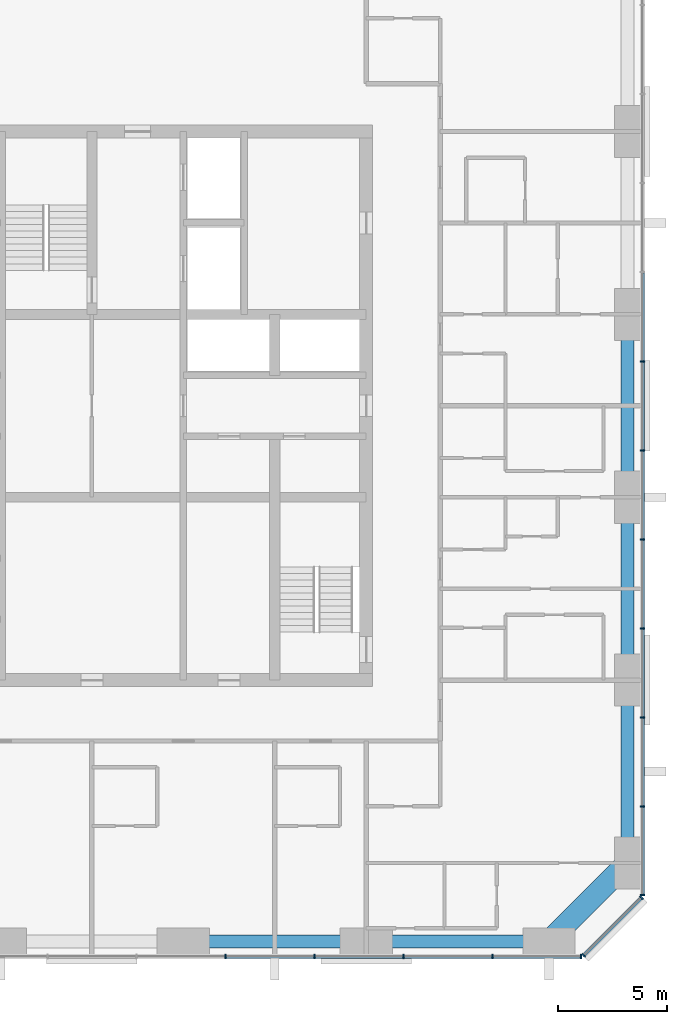
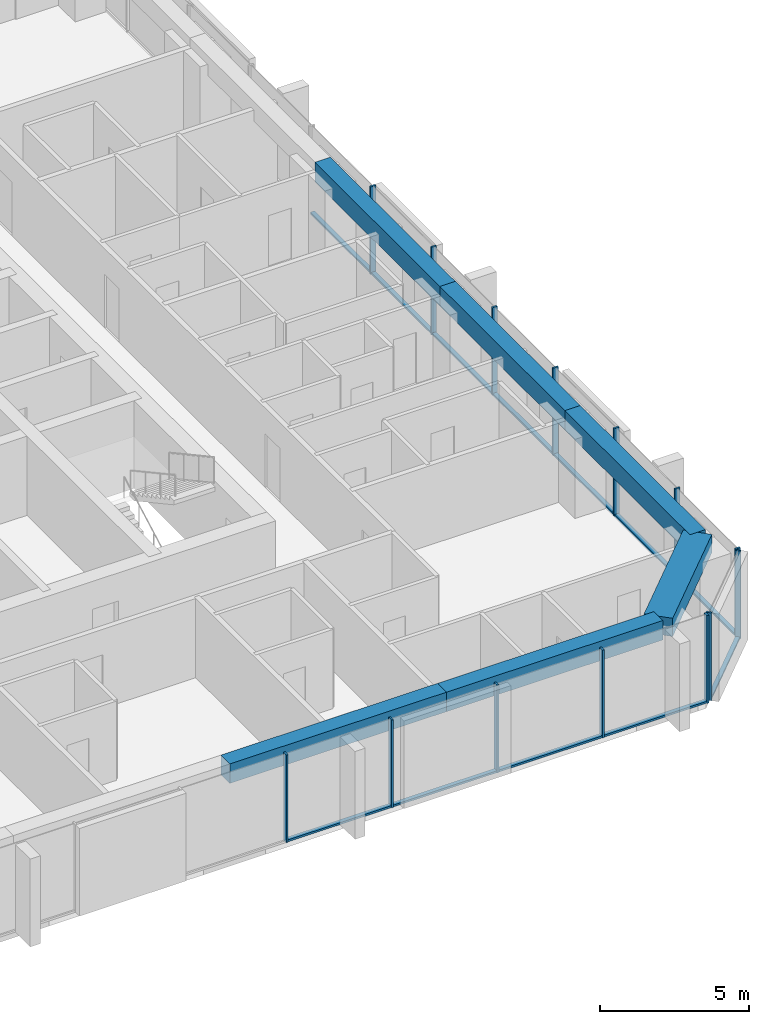
# One storey, part 4 of 13: 26 members, 6 beams, 3 elements without a shape of their own.
"""IFC4 building model written with IfcOpenShell, lengths in metres."""

from ifc_helpers import new_model, si_unit, direction, frame, origin, origin_2d, place, context, subcontext, project, spatial, rectangle, extrude, material, material_profile, profile_set, type_object, element, aggregate, save


model = new_model("IFC4")

# Units and contexts
model_context = context("Model", 3, precision=1e-05, world=origin(), true_north=direction((0.0, 1.0)))
body_context = subcontext(model_context, "Body", "Model", "MODEL_VIEW")
ifc_project = project(units=[si_unit("LENGTHUNIT", "METRE"), si_unit("AREAUNIT", "SQUARE_METRE"), si_unit("VOLUMEUNIT", "CUBIC_METRE"), si_unit("PLANEANGLEUNIT", "RADIAN"), si_unit("MASSUNIT", "GRAM", prefix="KILO")], contexts=[model_context])

# Site, building, storey
site_placement = place(None, origin())
site = spatial("IfcSite", under=ifc_project, at=site_placement, CompositionType="ELEMENT")
building_placement = place(site_placement, origin())
building = spatial("IfcBuilding", under=site, at=building_placement, Name="Dunama Terrace Hotel", CompositionType="ELEMENT")
storey_placement = place(building_placement, frame((0.0, 0.0, 191.39990234375)))
storey = spatial("IfcBuildingStorey", under=building, at=storey_placement, Name="L49", CompositionType="ELEMENT", Elevation=191.39990234375)

# Curtain wall, members
ifc_material_1 = material(Name="Aluminium curtain wall system", Category="aluminium")
curtain_wall_type = type_object("IfcCurtainWallType", Name="Unitised fritted glass wall CW-C", PredefinedType="NOTDEFINED", material=ifc_material_1)
curtain_wall_1_placement = place(storey_placement, origin())
curtain_wall_1 = element("IfcCurtainWall", 1, at=curtain_wall_1_placement, inside=storey, type_object=curtain_wall_type, Name="Unitised fritted glass wall CW-C L49", PredefinedType="NOTDEFINED")
ifc_material_2 = material(Name="Aluminium mullion", Category="aluminium")
ifc_material_profile_1 = material_profile(ifc_material_2, rectangle(XDim=0.070068359375, YDim=0.199951171875, at=origin_2d()), Name="CWC MULLION 70X200")
ifc_profile_set_1 = profile_set([ifc_material_profile_1], Name="Aluminium mullion")
member_type_1 = type_object("IfcMemberType", Name="CWC mullion 70x200", PredefinedType="MULLION", material=ifc_profile_set_1)
member_1_placement = place(storey_placement, frame((35.535888671875, 4.10009765625, 0.0), z_axis=(0.0, 0.0, 1.0), x_axis=(1.0, 0.0, 0.0)))
member_1 = element("IfcMember", 2, at=member_1_placement, type_object=member_type_1, Name="CWC mullion", PredefinedType="MULLION", context=body_context, shape_type="SweptSolid", body=[
    extrude(rectangle(XDim=0.070068359375, YDim=0.199951171875, at=origin_2d()), origin(), (0.0, 0.0, 1.0), 3.60009765625),
])
member_2_placement = place(storey_placement, frame((39.626953125, 4.10009765625, 0.0), z_axis=(0.0, 0.0, 1.0), x_axis=(1.0, 0.0, 0.0)))
member_2 = element("IfcMember", 3, at=member_2_placement, type_object=member_type_1, Name="CWC mullion", PredefinedType="MULLION", context=body_context, shape_type="SweptSolid", body=[
    extrude(rectangle(XDim=0.070068359375, YDim=0.199951171875, at=origin_2d()), origin(), (0.0, 0.0, 1.0), 3.60009765625),
])
member_3_placement = place(storey_placement, frame((43.718017578125, 4.10009765625, 0.0), z_axis=(0.0, 0.0, 1.0), x_axis=(1.0, 0.0, 0.0)))
member_3 = element("IfcMember", 4, at=member_3_placement, type_object=member_type_1, Name="CWC mullion", PredefinedType="MULLION", context=body_context, shape_type="SweptSolid", body=[
    extrude(rectangle(XDim=0.070068359375, YDim=0.199951171875, at=origin_2d()), origin(), (0.0, 0.0, 1.0), 3.60009765625),
])
member_4_placement = place(storey_placement, frame((47.80908203125, 4.10009765625, 0.0), z_axis=(0.0, 0.0, 1.0), x_axis=(1.0, 0.0, 0.0)))
member_4 = element("IfcMember", 5, at=member_4_placement, type_object=member_type_1, Name="CWC mullion", PredefinedType="MULLION", context=body_context, shape_type="SweptSolid", body=[
    extrude(rectangle(XDim=0.070068359375, YDim=0.199951171875, at=origin_2d()), origin(), (0.0, 0.0, 1.0), 3.60009765625),
])
member_5_placement = place(storey_placement, frame((51.864990234375, 4.10009765625, 0.0), z_axis=(0.0, 0.0, 1.0), x_axis=(1.0, 0.0, 0.0)))
member_5 = element("IfcMember", 6, at=member_5_placement, type_object=member_type_1, Name="CWC mullion", PredefinedType="MULLION", context=body_context, shape_type="SweptSolid", body=[
    extrude(rectangle(XDim=0.070068359375, YDim=0.199951171875, at=origin_2d()), origin(), (0.0, 0.0, 1.0), 3.60009765625),
])

curtain_wall_2_placement = place(storey_placement, origin())
curtain_wall_2 = element("IfcCurtainWall", 7, at=curtain_wall_2_placement, inside=storey, type_object=curtain_wall_type, Name="Unitised fritted glass wall CW-C L49", PredefinedType="NOTDEFINED")
member_6_placement = place(storey_placement, frame((51.9951171875, 4.154052734375, 0.0), z_axis=(0.0, 0.0, 1.0), x_axis=(0.707106781187, 0.707106781187, 0.0)))
member_6 = element("IfcMember", 8, at=member_6_placement, type_object=member_type_1, Name="CWC mullion", PredefinedType="MULLION", context=body_context, shape_type="SweptSolid", body=[
    extrude(rectangle(XDim=0.070068359375, YDim=0.199951171875, at=origin_2d()), origin(), (0.0, 0.0, 1.0), 3.60009765625),
])
member_7_placement = place(storey_placement, frame((54.64599609375, 6.804931640625, 0.0), z_axis=(0.0, 0.0, 1.0), x_axis=(0.707106781187, 0.707106781187, 0.0)))
member_7 = element("IfcMember", 9, at=member_7_placement, type_object=member_type_1, Name="CWC mullion", PredefinedType="MULLION", context=body_context, shape_type="SweptSolid", body=[
    extrude(rectangle(XDim=0.070068359375, YDim=0.199951171875, at=origin_2d()), origin(), (0.0, 0.0, 1.0), 3.60009765625),
])

curtain_wall_3_placement = place(storey_placement, origin())
curtain_wall_3 = element("IfcCurtainWall", 10, at=curtain_wall_3_placement, inside=storey, type_object=curtain_wall_type, Name="Unitised fritted glass wall CW-C L49", PredefinedType="NOTDEFINED")
member_8_placement = place(storey_placement, frame((54.699951171875, 6.93505859375, 0.0), z_axis=(0.0, 0.0, 1.0), x_axis=(0.0, 1.0, 0.0)))
member_8 = element("IfcMember", 11, at=member_8_placement, type_object=member_type_1, Name="CWC mullion", PredefinedType="MULLION", context=body_context, shape_type="SweptSolid", body=[
    extrude(rectangle(XDim=0.070068359375, YDim=0.199951171875, at=origin_2d()), origin(), (0.0, 0.0, 1.0), 3.60009765625),
])
member_9_placement = place(storey_placement, frame((54.699951171875, 10.990966796875, 0.0), z_axis=(0.0, 0.0, 1.0), x_axis=(0.0, 1.0, 0.0)))
member_9 = element("IfcMember", 12, at=member_9_placement, type_object=member_type_1, Name="CWC mullion", PredefinedType="MULLION", context=body_context, shape_type="SweptSolid", body=[
    extrude(rectangle(XDim=0.070068359375, YDim=0.199951171875, at=origin_2d()), origin(), (0.0, 0.0, 1.0), 3.60009765625),
])
member_10_placement = place(storey_placement, frame((54.699951171875, 15.08203125, 0.0), z_axis=(0.0, 0.0, 1.0), x_axis=(0.0, 1.0, 0.0)))
member_10 = element("IfcMember", 13, at=member_10_placement, type_object=member_type_1, Name="CWC mullion", PredefinedType="MULLION", context=body_context, shape_type="SweptSolid", body=[
    extrude(rectangle(XDim=0.070068359375, YDim=0.199951171875, at=origin_2d()), origin(), (0.0, 0.0, 1.0), 3.60009765625),
])
member_11_placement = place(storey_placement, frame((54.699951171875, 19.173095703125, 0.0), z_axis=(0.0, 0.0, 1.0), x_axis=(0.0, 1.0, 0.0)))
member_11 = element("IfcMember", 14, at=member_11_placement, type_object=member_type_1, Name="CWC mullion", PredefinedType="MULLION", context=body_context, shape_type="SweptSolid", body=[
    extrude(rectangle(XDim=0.070068359375, YDim=0.199951171875, at=origin_2d()), origin(), (0.0, 0.0, 1.0), 3.60009765625),
])
member_12_placement = place(storey_placement, frame((54.699951171875, 23.263916015625, 0.0), z_axis=(0.0, 0.0, 1.0), x_axis=(0.0, 1.0, 0.0)))
member_12 = element("IfcMember", 15, at=member_12_placement, type_object=member_type_1, Name="CWC mullion", PredefinedType="MULLION", context=body_context, shape_type="SweptSolid", body=[
    extrude(rectangle(XDim=0.070068359375, YDim=0.199951171875, at=origin_2d()), origin(), (0.0, 0.0, 1.0), 3.60009765625),
])
member_13_placement = place(storey_placement, frame((54.699951171875, 27.35498046875, 0.0), z_axis=(0.0, 0.0, 1.0), x_axis=(0.0, 1.0, 0.0)))
member_13 = element("IfcMember", 16, at=member_13_placement, type_object=member_type_1, Name="CWC mullion", PredefinedType="MULLION", context=body_context, shape_type="SweptSolid", body=[
    extrude(rectangle(XDim=0.070068359375, YDim=0.199951171875, at=origin_2d()), origin(), (0.0, 0.0, 1.0), 3.60009765625),
])
member_14_placement = place(storey_placement, frame((54.699951171875, 31.445068359375, 0.0), z_axis=(0.0, 0.0, 1.0), x_axis=(0.0, 1.0, 0.0)))
member_14 = element("IfcMember", 17, at=member_14_placement, type_object=member_type_1, Name="CWC mullion", PredefinedType="MULLION", context=body_context, shape_type="SweptSolid", body=[
    extrude(rectangle(XDim=0.070068359375, YDim=0.199951171875, at=origin_2d()), origin(), (0.0, 0.0, 1.0), 3.60009765625),
])

# Member
ifc_material_3 = material(Name="Aluminium transom", Category="aluminium")
ifc_material_profile_2 = material_profile(ifc_material_3, rectangle(XDim=0.159912109375, YDim=0.080078125, at=origin_2d()), Name="CWC TRANSOM 160X80")
ifc_profile_set_2 = profile_set([ifc_material_profile_2], Name="Aluminium transom")
member_type_2 = type_object("IfcMemberType", Name="CWC transom 160x80", PredefinedType="USERDEFINED", material=ifc_profile_set_2)
member_15_placement = place(storey_placement, frame((35.571044921875, 4.10009765625, 0.0400390625), z_axis=(1.0, 0.0, 0.0), x_axis=(0.0, 1.0, 0.0)))
member_15 = element("IfcMember", 18, at=member_15_placement, type_object=member_type_2, Name="CWC transom", ObjectType="TRANSOM", PredefinedType="USERDEFINED", context=body_context, shape_type="SweptSolid", body=[
    extrude(rectangle(XDim=0.159912109375, YDim=0.080078125, at=origin_2d()), origin(), (0.0, 0.0, 1.0), 4.02099609375),
])

member_16_placement = place(storey_placement, frame((39.662109375, 4.10009765625, 0.0400390625), z_axis=(1.0, 0.0, 0.0), x_axis=(0.0, 1.0, 0.0)))
member_16 = element("IfcMember", 19, at=member_16_placement, type_object=member_type_2, Name="CWC transom", ObjectType="TRANSOM", PredefinedType="USERDEFINED", context=body_context, shape_type="SweptSolid", body=[
    extrude(rectangle(XDim=0.159912109375, YDim=0.080078125, at=origin_2d()), origin(), (0.0, 0.0, 1.0), 4.02099609375),
])

member_17_placement = place(storey_placement, frame((43.7529296875, 4.10009765625, 0.0400390625), z_axis=(1.0, 0.0, 0.0), x_axis=(0.0, 1.0, 0.0)))
member_17 = element("IfcMember", 20, at=member_17_placement, type_object=member_type_2, Name="CWC transom", ObjectType="TRANSOM", PredefinedType="USERDEFINED", context=body_context, shape_type="SweptSolid", body=[
    extrude(rectangle(XDim=0.159912109375, YDim=0.080078125, at=origin_2d()), origin(), (0.0, 0.0, 1.0), 4.02099609375),
])

member_18_placement = place(storey_placement, frame((47.843994140625, 4.10009765625, 0.0400390625), z_axis=(1.0, 0.0, 0.0), x_axis=(0.0, 1.0, 0.0)))
member_18 = element("IfcMember", 21, at=member_18_placement, type_object=member_type_2, Name="CWC transom", ObjectType="TRANSOM", PredefinedType="USERDEFINED", context=body_context, shape_type="SweptSolid", body=[
    extrude(rectangle(XDim=0.159912109375, YDim=0.080078125, at=origin_2d()), origin(), (0.0, 0.0, 1.0), 3.986083984375),
])

aggregate(curtain_wall_1, [member_1, member_2, member_3, member_4, member_5, member_15, member_16, member_17, member_18])

member_19_placement = place(storey_placement, frame((52.02001953125, 4.178955078125, 0.0400390625), z_axis=(0.707106781187, 0.707106781187, 0.0), x_axis=(-0.707106781187, 0.707106781187, 0.0)))
member_19 = element("IfcMember", 22, at=member_19_placement, type_object=member_type_2, Name="CWC transom", ObjectType="TRANSOM", PredefinedType="USERDEFINED", context=body_context, shape_type="SweptSolid", body=[
    extrude(rectangle(XDim=0.159912109375, YDim=0.080078125, at=origin_2d()), origin(), (0.0, 0.0, 1.0), 3.678466796875),
])

aggregate(curtain_wall_2, [member_6, member_7, member_19])

member_20_placement = place(storey_placement, frame((54.699951171875, 6.969970703125, 0.0400390625), z_axis=(0.0, 1.0, 0.0), x_axis=(-1.0, 0.0, 0.0)))
member_20 = element("IfcMember", 23, at=member_20_placement, type_object=member_type_2, Name="CWC transom", ObjectType="TRANSOM", PredefinedType="USERDEFINED", context=body_context, shape_type="SweptSolid", body=[
    extrude(rectangle(XDim=0.159912109375, YDim=0.080078125, at=origin_2d()), origin(), (0.0, 0.0, 1.0), 3.986083984375),
])

member_21_placement = place(storey_placement, frame((54.699951171875, 11.02587890625, 0.0400390625), z_axis=(0.0, 1.0, 0.0), x_axis=(-1.0, 0.0, 0.0)))
member_21 = element("IfcMember", 24, at=member_21_placement, type_object=member_type_2, Name="CWC transom", ObjectType="TRANSOM", PredefinedType="USERDEFINED", context=body_context, shape_type="SweptSolid", body=[
    extrude(rectangle(XDim=0.159912109375, YDim=0.080078125, at=origin_2d()), origin(), (0.0, 0.0, 1.0), 4.021240234375),
])

member_22_placement = place(storey_placement, frame((54.699951171875, 15.116943359375, 0.0400390625), z_axis=(0.0, 1.0, 0.0), x_axis=(-1.0, 0.0, 0.0)))
member_22 = element("IfcMember", 25, at=member_22_placement, type_object=member_type_2, Name="CWC transom", ObjectType="TRANSOM", PredefinedType="USERDEFINED", context=body_context, shape_type="SweptSolid", body=[
    extrude(rectangle(XDim=0.159912109375, YDim=0.080078125, at=origin_2d()), origin(), (0.0, 0.0, 1.0), 4.02099609375),
])

member_23_placement = place(storey_placement, frame((54.699951171875, 19.2080078125, 0.0400390625), z_axis=(0.0, 1.0, 0.0), x_axis=(-1.0, 0.0, 0.0)))
member_23 = element("IfcMember", 26, at=member_23_placement, type_object=member_type_2, Name="CWC transom", ObjectType="TRANSOM", PredefinedType="USERDEFINED", context=body_context, shape_type="SweptSolid", body=[
    extrude(rectangle(XDim=0.159912109375, YDim=0.080078125, at=origin_2d()), origin(), (0.0, 0.0, 1.0), 4.02099609375),
])

member_24_placement = place(storey_placement, frame((54.699951171875, 23.299072265625, 0.0400390625), z_axis=(0.0, 1.0, 0.0), x_axis=(-1.0, 0.0, 0.0)))
member_24 = element("IfcMember", 27, at=member_24_placement, type_object=member_type_2, Name="CWC transom", ObjectType="TRANSOM", PredefinedType="USERDEFINED", context=body_context, shape_type="SweptSolid", body=[
    extrude(rectangle(XDim=0.159912109375, YDim=0.080078125, at=origin_2d()), origin(), (0.0, 0.0, 1.0), 4.02099609375),
])

member_25_placement = place(storey_placement, frame((54.699951171875, 27.389892578125, 0.0400390625), z_axis=(0.0, 1.0, 0.0), x_axis=(-1.0, 0.0, 0.0)))
member_25 = element("IfcMember", 28, at=member_25_placement, type_object=member_type_2, Name="CWC transom", ObjectType="TRANSOM", PredefinedType="USERDEFINED", context=body_context, shape_type="SweptSolid", body=[
    extrude(rectangle(XDim=0.159912109375, YDim=0.080078125, at=origin_2d()), origin(), (0.0, 0.0, 1.0), 4.02001953125),
])

member_26_placement = place(storey_placement, frame((54.699951171875, 31.47998046875, 0.0400390625), z_axis=(0.0, 1.0, 0.0), x_axis=(-1.0, 0.0, 0.0)))
member_26 = element("IfcMember", 29, at=member_26_placement, type_object=member_type_2, Name="CWC transom", ObjectType="TRANSOM", PredefinedType="USERDEFINED", context=body_context, shape_type="SweptSolid", body=[
    extrude(rectangle(XDim=0.159912109375, YDim=0.080078125, at=origin_2d()), origin(), (0.0, 0.0, 1.0), 4.02099609375),
])

aggregate(curtain_wall_3, [member_8, member_9, member_10, member_11, member_12, member_13, member_14, member_20, member_21, member_22, member_23, member_24, member_25, member_26])

# Beams
ifc_material_4 = material(Name="Concrete C50/60", Category="concrete")
ifc_material_profile_3 = material_profile(ifc_material_4, rectangle(XDim=1.0, YDim=0.75, at=origin_2d()), Name="RC 1000x750")
ifc_profile_set_3 = profile_set([ifc_material_profile_3], Name="Concrete C50/60")
beam_type_1 = type_object("IfcBeamType", Name="Edge beam RC 1000x750", PredefinedType="SPANDREL", material=ifc_profile_set_3)
beam_1_placement = place(storey_placement, frame((50.39990234375, 4.800048828125, 3.22509765625), z_axis=(0.707130757816, 0.707082803744, 0.0), x_axis=(-0.707082803744, 0.707130757816, 0.0)))
element("IfcBeam", 30, at=beam_1_placement, inside=storey, type_object=beam_type_1, Name="Corner edge beam under L50", PredefinedType="SPANDREL", context=body_context, shape_type="SweptSolid", body=[
    extrude(rectangle(XDim=1.0, YDim=0.75, at=origin_2d()), origin(), (0.0, 0.0, 1.0), 5.091064453125),
])
ifc_material_5 = material(Name="Concrete C40/50", Category="concrete")
ifc_material_profile_4 = material_profile(ifc_material_5, rectangle(XDim=0.60009765625, YDim=0.800048828125, at=origin_2d()), Name="RC 600x800")
ifc_profile_set_4 = profile_set([ifc_material_profile_4], Name="Concrete C40/50")
beam_type_2 = type_object("IfcBeamType", Name="Edge beam RC 600x800", PredefinedType="SPANDREL", material=ifc_profile_set_4)
beam_2_placement = place(storey_placement, frame((54.0, 8.39990234375, 3.2001953125), z_axis=(0.0, 1.0, 0.0), x_axis=(-1.0, 0.0, 0.0)))
element("IfcBeam", 31, at=beam_2_placement, inside=storey, type_object=beam_type_2, Name="Edge beam under L50", PredefinedType="SPANDREL", context=body_context, shape_type="SweptSolid", body=[
    extrude(rectangle(XDim=0.60009765625, YDim=0.800048828125, at=origin_2d()), origin(), (0.0, 0.0, 1.0), 8.400146484375),
])
beam_3_placement = place(storey_placement, frame((54.0, 16.800048828125, 3.2001953125), z_axis=(0.0, 1.0, 0.0), x_axis=(-1.0, 0.0, 0.0)))
element("IfcBeam", 32, at=beam_3_placement, inside=storey, type_object=beam_type_2, Name="Edge beam under L50", PredefinedType="SPANDREL", context=body_context, shape_type="SweptSolid", body=[
    extrude(rectangle(XDim=0.60009765625, YDim=0.800048828125, at=origin_2d()), origin(), (0.0, 0.0, 1.0), 8.39990234375),
])
beam_4_placement = place(storey_placement, frame((54.0, 25.199951171875, 3.2001953125), z_axis=(0.0, 1.0, 0.0), x_axis=(-1.0, 0.0, 0.0)))
element("IfcBeam", 33, at=beam_4_placement, inside=storey, type_object=beam_type_2, Name="Edge beam under L50", PredefinedType="SPANDREL", context=body_context, shape_type="SweptSolid", body=[
    extrude(rectangle(XDim=0.60009765625, YDim=0.800048828125, at=origin_2d()), origin(), (0.0, 0.0, 1.0), 8.400146484375),
])
for number, where, z_axis, x_axis, name in (
    (34, (33.60009765625, 4.800048828125, 3.2001953125), (1.0, 0.0, 0.0), (0.0, 1.0, 0.0), "Edge beam under L50"),
    (35, (42.0, 4.800048828125, 3.2001953125), (1.0, 0.0, 0.0), (0.0, 1.0, 0.0), "Edge beam under L50"),
):
    element("IfcBeam", number, at=place(storey_placement, frame(where, z_axis=z_axis, x_axis=x_axis)), inside=storey, type_object=beam_type_2, Name=name, PredefinedType="SPANDREL", context=body_context, shape_type="SweptSolid", body=[
        extrude(rectangle(XDim=0.60009765625, YDim=0.800048828125, at=origin_2d()), origin(), (0.0, 0.0, 1.0), 8.39990234375),
    ])

save(model, "model.ifc")
